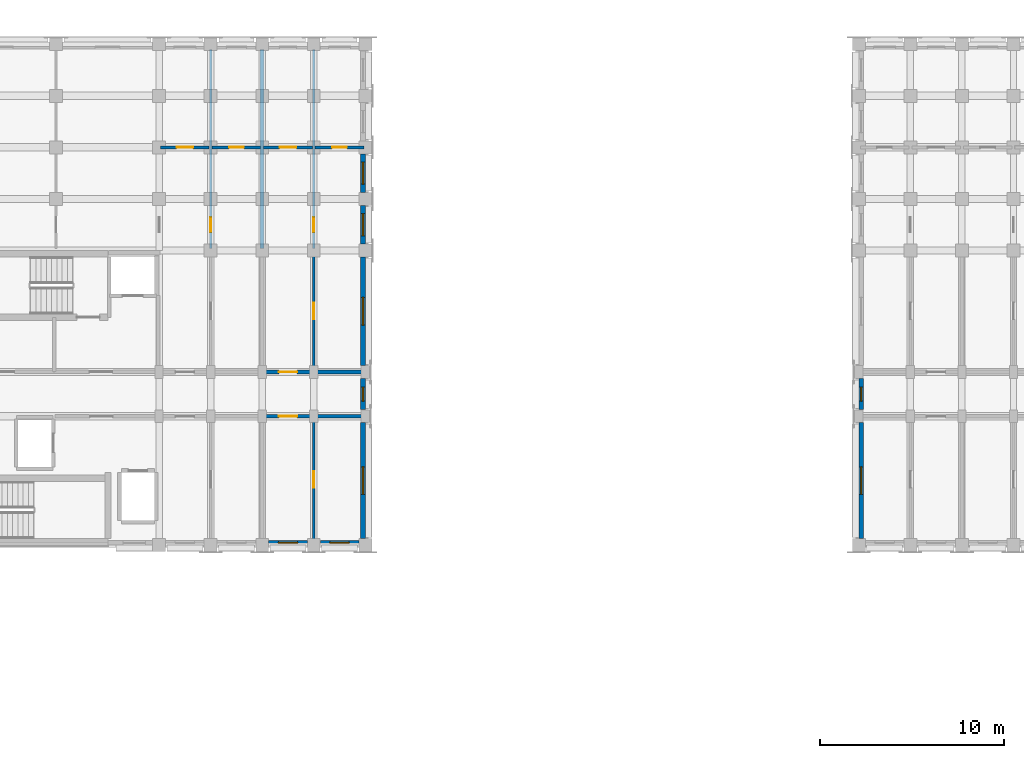
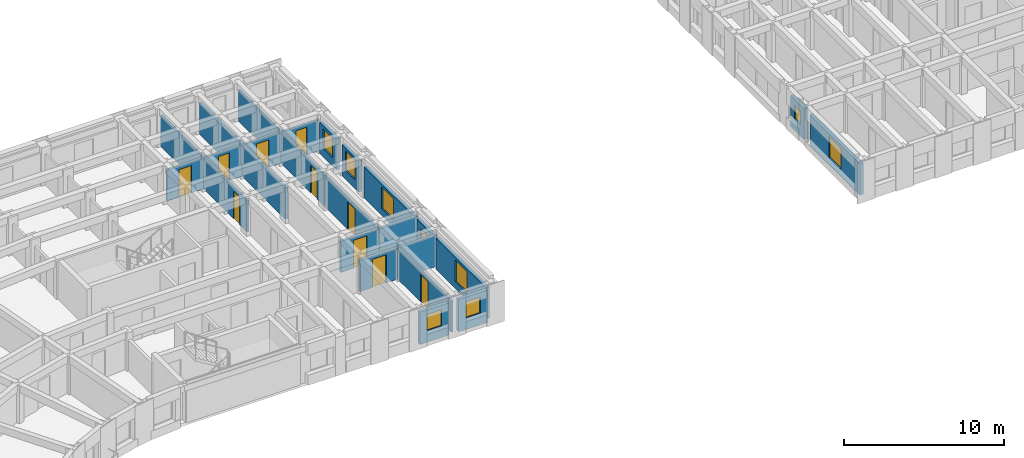
# One storey, part 29 of 57: 22 walls, 10 doors, 9 windows, 19 openings.
"""IFC4 building model written with IfcOpenShell, lengths in metres."""

import ifcopenshell
import ifcopenshell.guid

model = None  # the IFC model being written
_history = None  # IfcOwnerHistory: only IFC2X3 demands one
_inside = {}  # id of a spatial element -> (the spatial element, [elements in it])
_under = {}  # id of a project, library or spatial element -> (it, [spatial elements below it])
_declared = {}  # id of a project -> (the project, [libraries it declares])
_typed = {}  # id of a type object -> (the type object, [elements of that type])
_made_of = {}  # id of a material, layer set ... -> (it, [elements and type objects made of it])


def new_model(schema):
    """Start an empty IFC model of exactly this schema.

    Asked for "IFC4X3", IfcOpenShell would pick the latest addendum, in which some entities
    have other attributes; the version numbers below select the first issue.
    IFC2X3 requires an IfcOwnerHistory on every rooted entity: one is made here for all.
    """
    global model, _history
    if schema == "IFC4X3":
        model = ifcopenshell.file(schema_version=(4, 3, 0, 0))
    else:
        model = ifcopenshell.file(schema=schema)
    _inside.clear()
    _under.clear()
    _declared.clear()
    _typed.clear()
    _made_of.clear()
    _history = None
    if model.schema == "IFC2X3":
        org = make("IfcOrganization", Name="unknown")
        user = make(
            "IfcPersonAndOrganization",
            ThePerson=make("IfcPerson", FamilyName="unknown"),
            TheOrganization=org,
        )
        app = make(
            "IfcApplication",
            ApplicationDeveloper=org,
            Version="unknown",
            ApplicationFullName="unknown",
            ApplicationIdentifier="unknown",
        )
        _history = make(
            "IfcOwnerHistory",
            OwningUser=user,
            OwningApplication=app,
            ChangeAction="ADDED",
            CreationDate=0,
        )
    return model


def make(cls, **values):
    """One entity of the class cls with the attributes given. An attribute that is None is left unset."""
    return model.create_entity(
        cls, **{name: value for name, value in values.items() if value is not None}
    )


def rooted(cls, **values):
    """An entity with a GlobalId (a new one), such as an element, a storey or a relation."""
    return make(cls, GlobalId=ifcopenshell.guid.new(), OwnerHistory=_history, **values)


def si_unit(unit_type, name, prefix=None):
    """IfcSIUnit, for example si_unit("LENGTHUNIT", "METRE", prefix="MILLI")."""
    return make("IfcSIUnit", UnitType=unit_type, Prefix=prefix, Name=name)


def assignment(units):
    """IfcUnitAssignment: the units of a project."""
    return None if units is None else make("IfcUnitAssignment", Units=units)


def point(xyz):
    """IfcCartesianPoint."""
    return None if xyz is None else make("IfcCartesianPoint", Coordinates=xyz)


def direction(xyz):
    """IfcDirection."""
    return None if xyz is None else make("IfcDirection", DirectionRatios=xyz)


def frame(location, z_axis=None, x_axis=None):
    """IfcAxis2Placement3D, a coordinate frame: its origin and axes. An axis left out is left unset."""
    return make(
        "IfcAxis2Placement3D",
        Location=point(location),
        Axis=direction(z_axis),
        RefDirection=direction(x_axis),
    )


def frame_2d(location, x_axis=None):
    """IfcAxis2Placement2D, a coordinate frame in the plane: its origin and x axis."""
    return make(
        "IfcAxis2Placement2D", Location=point(location), RefDirection=direction(x_axis)
    )


def origin():
    """The frame at (0, 0, 0) with its axes left unset."""
    return frame((0.0, 0.0, 0.0))


def place(relative_to, where):
    """IfcLocalPlacement: puts the frame where relative to a parent placement (None: the world)."""
    return make(
        "IfcLocalPlacement", PlacementRelTo=relative_to, RelativePlacement=where
    )


def context(
    kind, dimensions, precision=None, world=None, true_north=None, identifier=None
):
    """IfcGeometricRepresentationContext, for example the 3D "Model" context."""
    return make(
        "IfcGeometricRepresentationContext",
        ContextIdentifier=identifier,
        ContextType=kind,
        CoordinateSpaceDimension=dimensions,
        Precision=precision,
        WorldCoordinateSystem=world,
        TrueNorth=true_north,
    )


def subcontext(parent, identifier, kind, view, scale=None):
    """IfcGeometricRepresentationSubContext, for example "Body" below "Model"."""
    return make(
        "IfcGeometricRepresentationSubContext",
        ContextIdentifier=identifier,
        ContextType=kind,
        ParentContext=parent,
        TargetScale=scale,
        TargetView=view,
    )


def project(units=None, contexts=None):
    """IfcProject with its units and contexts."""
    return rooted(
        "IfcProject",
        Name="project",
        RepresentationContexts=contexts,
        UnitsInContext=assignment(units),
    )


def spatial(cls, under=None, at=None, **own):
    """A site, building, storey or space (cls), placed at a placement, below another one or the project."""
    s = rooted(cls, ObjectPlacement=at, **own)
    if under is not None:
        _under.setdefault(under.id(), (under, []))[1].append(s)
    return s


def profile(cls, at=None, kind="AREA", **sizes):
    """A parametric profile (cls). Its sizes go by their IFC names, for example OverallWidth=200.0."""
    return make(cls, ProfileType=kind, Position=at, **sizes)


def rectangle(**sizes):
    """IfcRectangleProfileDef."""
    return profile("IfcRectangleProfileDef", **sizes)


def extrude(swept, where, along, depth):
    """IfcExtrudedAreaSolid: the profile swept, set in the frame where, extruded along a direction by depth."""
    return make(
        "IfcExtrudedAreaSolid",
        SweptArea=swept,
        Position=where,
        ExtrudedDirection=direction(along),
        Depth=depth,
    )


def shape(context_of_items, identifier, shape_type, items):
    """IfcShapeRepresentation: the items that make up one representation, for example the "Body"."""
    return make(
        "IfcShapeRepresentation",
        ContextOfItems=context_of_items,
        RepresentationIdentifier=identifier,
        RepresentationType=shape_type,
        Items=items,
    )


def material(Name=None, Category=None):
    """IfcMaterial."""
    return make("IfcMaterial", Name=Name, Category=Category)


def layer(
    of_material, thickness, ventilated=None, Name=None, Category=None, Priority=None
):
    """IfcMaterialLayer: one layer of a wall or slab, of a material (None: an air gap)."""
    return make(
        "IfcMaterialLayer",
        Material=of_material,
        LayerThickness=thickness,
        IsVentilated=ventilated,
        Name=Name,
        Category=Category,
        Priority=Priority,
    )


def layer_set(layers, Name=None):
    """IfcMaterialLayerSet."""
    return make("IfcMaterialLayerSet", MaterialLayers=layers, LayerSetName=Name)


def made_of(thing, what):
    """Note that an element or type object is made of a material, layer set ...; save() writes the relation."""
    if what is not None:
        _made_of.setdefault(what.id(), (what, []))[1].append(thing)
    return thing


def type_object(cls, material=None, **own):
    """A type object (cls), such as IfcWallType, which elements share."""
    return made_of(rooted(cls, **own), material)


def element(
    cls,
    number,
    at=None,
    inside=None,
    cuts=None,
    type_object=None,
    material=None,
    context=None,
    identifier="Body",
    shape_type=None,
    held_by="IfcProductDefinitionShape",
    body=None,
    shapes=None,
    **own,
):
    """One element of the class cls, such as IfcWall. Its Tag is "e" and its number.

    at: its placement. inside: the storey or other place that contains it. cuts: it is an
    opening in that element (IfcRelVoidsElement). A single representation is given by context,
    identifier, shape_type and body (its items); several are given by shapes. held_by: the class
    of the entity that holds the representations. save() writes the other relations.
    """
    e = rooted(cls, Tag="e%d" % number, ObjectPlacement=at, **own)
    if body is not None:
        shapes = [shape(context, identifier, shape_type, body)]
    if shapes is not None:
        e.Representation = make(held_by, Representations=shapes)
    if inside is not None:
        _inside.setdefault(inside.id(), (inside, []))[1].append(e)
    if cuts is not None:
        rooted(
            "IfcRelVoidsElement", RelatingBuildingElement=cuts, RelatedOpeningElement=e
        )
    if type_object is not None:
        _typed.setdefault(type_object.id(), (type_object, []))[1].append(e)
    return made_of(e, material)


def fill(opening, filler):
    """IfcRelFillsElement: the door or window that sits in an opening."""
    return rooted(
        "IfcRelFillsElement",
        RelatingOpeningElement=opening,
        RelatedBuildingElement=filler,
    )


def aggregate(whole, parts):
    """IfcRelAggregates: a whole, such as a stair, and the parts it consists of."""
    return rooted("IfcRelAggregates", RelatingObject=whole, RelatedObjects=parts)


def save(model, path):
    """Write the relations noted so far, then the file.

    IfcRelAggregates (storeys below a building ...), IfcRelContainedInSpatialStructure (elements
    in a storey), IfcRelDefinesByType, IfcRelAssociatesMaterial and IfcRelDeclares: one each for
    every whole, place, type object, material and project.
    """
    for whole, parts in _under.values():
        aggregate(whole, parts)
    for where, things in _inside.values():
        rooted(
            "IfcRelContainedInSpatialStructure",
            RelatedElements=things,
            RelatingStructure=where,
        )
    for kind, things in _typed.values():
        rooted("IfcRelDefinesByType", RelatedObjects=things, RelatingType=kind)
    for what, things in _made_of.values():
        rooted("IfcRelAssociatesMaterial", RelatedObjects=things, RelatingMaterial=what)
    for by, libraries in _declared.values():
        rooted("IfcRelDeclares", RelatingContext=by, RelatedDefinitions=libraries)
    model.write(path)


model = new_model("IFC4")

# Units and contexts
model_context = context("Model", 3, precision=1e-05, world=origin(), true_north=direction((0.0, 1.0)))
body_context = subcontext(model_context, "Body", "Model", "MODEL_VIEW")
ifc_project = project(units=[si_unit("LENGTHUNIT", "METRE"), si_unit("AREAUNIT", "SQUARE_METRE"), si_unit("VOLUMEUNIT", "CUBIC_METRE"), si_unit("PLANEANGLEUNIT", "RADIAN"), si_unit("MASSUNIT", "GRAM", prefix="KILO")], contexts=[model_context])

# Site, building, storey
site_placement = place(None, origin())
site = spatial("IfcSite", under=ifc_project, at=site_placement, CompositionType="ELEMENT")
building_placement = place(site_placement, origin())
building = spatial("IfcBuilding", under=site, at=building_placement, Name="Kiranvali Square Residences", CompositionType="ELEMENT")
storey_placement = place(building_placement, frame((0.0, 0.0, 21.300048828125)))
storey = spatial("IfcBuildingStorey", under=building, at=storey_placement, Name="L06", CompositionType="ELEMENT", Elevation=21.300048828125)

# Wall, opening, door
ifc_material_1 = material(Name="Autoclaved aerated concrete blockwork masonry", Category="masonry")
ifc_layer_1 = layer(ifc_material_1, 0.199951171875)
ifc_layer_set_1 = layer_set([ifc_layer_1], Name="Autoclaved aerated concrete blockwork masonry")
wall_type_1 = type_object("IfcWallType", Name="WL-COR-200", PredefinedType="STANDARD", material=ifc_layer_set_1)
wall_1_placement = place(storey_placement, frame((65.0, 113.60009765625, 0.0), z_axis=(0.0, 0.0, 1.0), x_axis=(1.0, 0.0, 0.0)))
wall_1 = element("IfcWall", 1, at=wall_1_placement, inside=storey, type_object=wall_type_1, Name="L06 architectural wall WL-L06-A-A1CI-2", PredefinedType="STANDARD", context=body_context, shape_type="SweptSolid", body=[
    extrude(rectangle(XDim=2.800048828125, YDim=0.199951171875, at=frame_2d((1.39990234375, 0.0))), origin(), (0.0, 0.0, 1.0), 2.3720703125),
])
opening_1_placement = place(wall_1_placement, frame((0.89990234375, 0.0, 0.0)))
opening_1 = element("IfcOpeningElement", 2, at=opening_1_placement, cuts=wall_1, Name="Opening FD-APT-60", PredefinedType="OPENING", context=body_context, shape_type="SweptSolid", body=[
    extrude(rectangle(XDim=1.0, YDim=2.14990234375, at=frame_2d((0.5, 1.074951171875))), frame((0.0, 0.10986328125, 0.0), z_axis=(0.0, -1.0, 0.0), x_axis=(1.0, 0.0, 0.0)), (0.0, 0.0, 1.0), 0.219970703125),
])
ifc_material_2 = material(Name="Fire-rated acoustic hardwood and mineral-core door assembly", Category="wood")
door_type_1 = type_object("IfcDoorType", Name="DR-APT-1000", OperationType="NOTDEFINED", PredefinedType="DOOR", material=ifc_material_2)
door_1_placement = place(opening_1_placement, origin())
door_1 = element("IfcDoor", 3, at=door_1_placement, inside=storey, type_object=door_type_1, Name="L06 door DR-L06-0411 (DR-APT-1000)", OperationType="SINGLE_SWING_LEFT", OverallHeight=2.14990234375, OverallWidth=1.0, PredefinedType="DOOR", context=body_context, shape_type="SweptSolid", body=[
    extrude(rectangle(XDim=1.0, YDim=2.14990234375, at=frame_2d((0.5, 1.074951171875))), frame((0.0, 0.02490234375, 0.0), z_axis=(0.0, -1.0, 0.0), x_axis=(1.0, 0.0, 0.0)), (0.0, 0.0, 1.0), 0.050048828125),
])
fill(opening_1, door_1)

wall_2_placement = place(storey_placement, frame((65.0, 116.0, 0.0), z_axis=(0.0, 0.0, 1.0), x_axis=(1.0, 0.0, 0.0)))
wall_2 = element("IfcWall", 4, at=wall_2_placement, inside=storey, type_object=wall_type_1, Name="L06 architectural wall WL-L06-A-A1CO-2", PredefinedType="STANDARD", context=body_context, shape_type="SweptSolid", body=[
    extrude(rectangle(XDim=2.800048828125, YDim=0.199951171875, at=frame_2d((1.39990234375, 0.0))), origin(), (0.0, 0.0, 1.0), 2.3720703125),
])
opening_2_placement = place(wall_2_placement, frame((0.89990234375, 0.0, 0.0)))
opening_2 = element("IfcOpeningElement", 5, at=opening_2_placement, cuts=wall_2, Name="Opening FD-APT-60", PredefinedType="OPENING", context=body_context, shape_type="SweptSolid", body=[
    extrude(rectangle(XDim=1.0, YDim=2.14990234375, at=frame_2d((0.5, 1.074951171875))), frame((0.0, 0.10986328125, 0.0), z_axis=(0.0, -1.0, 0.0), x_axis=(1.0, 0.0, 0.0)), (0.0, 0.0, 1.0), 0.219970703125),
])
door_2_placement = place(opening_2_placement, origin())
door_2 = element("IfcDoor", 6, at=door_2_placement, inside=storey, type_object=door_type_1, Name="L06 door DR-L06-0413 (DR-APT-1000)", OperationType="SINGLE_SWING_LEFT", OverallHeight=2.14990234375, OverallWidth=1.0, PredefinedType="DOOR", context=body_context, shape_type="SweptSolid", body=[
    extrude(rectangle(XDim=1.0, YDim=2.14990234375, at=frame_2d((0.5, 1.074951171875))), frame((0.0, 0.02490234375, 0.0), z_axis=(0.0, -1.0, 0.0), x_axis=(1.0, 0.0, 0.0)), (0.0, 0.0, 1.0), 0.050048828125),
])
fill(opening_2, door_2)

# Walls
for number, where, z_axis, x_axis, name in (
    (7, (67.800048828125, 113.60009765625, 0.0), (0.0, 0.0, 1.0), (1.0, 0.0, 0.0), "L06 architectural wall WL-L06-A-A1CI-3"),
    (8, (67.800048828125, 116.0, 0.0), (0.0, 0.0, 1.0), (1.0, 0.0, 0.0), "L06 architectural wall WL-L06-A-A1CO-3"),
):
    element("IfcWall", number, at=place(storey_placement, frame(where, z_axis=z_axis, x_axis=x_axis)), inside=storey, type_object=wall_type_1, Name=name, PredefinedType="STANDARD", context=body_context, shape_type="SweptSolid", body=[
        extrude(rectangle(XDim=2.800048828125, YDim=0.199951171875, at=frame_2d((1.39990234375, 0.0))), origin(), (0.0, 0.0, 1.0), 2.3720703125),
    ])
ifc_layer_2 = layer(ifc_material_1, 0.219970703125)
ifc_layer_set_2 = layer_set([ifc_layer_2], Name="Autoclaved aerated concrete blockwork masonry")
wall_type_2 = type_object("IfcWallType", Name="WL-DEM-220", PredefinedType="STANDARD", material=ifc_layer_set_2)
wall_3_placement = place(storey_placement, frame((65.0, 122.699951171875, 0.0), z_axis=(0.0, 0.0, 1.0), x_axis=(0.0, 1.0, 0.0)))
element("IfcWall", 9, at=wall_3_placement, inside=storey, type_object=wall_type_2, Name="L06 architectural wall WL-L06-A-A1TO2-2", PredefinedType="STANDARD", context=body_context, shape_type="SweptSolid", body=[
    extrude(rectangle(XDim=10.820068359375, YDim=0.219970703125, at=frame_2d((5.41015625, 0.0))), origin(), (0.0, 0.0, 1.0), 2.3720703125),
])

# Wall, opening, window
ifc_material_3 = material(Name="Breathable lime-rendered clay brick masonry", Category="masonry")
ifc_layer_3 = layer(ifc_material_3, 0.25)
ifc_layer_set_3 = layer_set([ifc_layer_3], Name="Breathable lime-rendered clay brick masonry")
wall_type_3 = type_object("IfcWallType", Name="WL-EXT-250", PredefinedType="STANDARD", material=ifc_layer_set_3)
wall_4_placement = place(storey_placement, frame((65.353515625, 106.72509765625, 0.0), z_axis=(0.0, 0.0, 1.0), x_axis=(1.0, 0.0, 0.0)))
wall_4 = element("IfcWall", 10, at=wall_4_placement, inside=storey, type_object=wall_type_3, Name="L06 exterior wall A-L06-A1I-2", PredefinedType="STANDARD", context=body_context, shape_type="SweptSolid", body=[
    extrude(rectangle(XDim=2.093017578125, YDim=0.25, at=frame_2d((1.04638671875, 0.0))), origin(), (0.0, 0.0, 1.0), 2.471923828125),
])
opening_3_placement = place(wall_4_placement, frame((0.521484375, 0.0, 0.8798828125)))
opening_3 = element("IfcOpeningElement", 11, at=opening_3_placement, cuts=wall_4, Name="Opening W-24", PredefinedType="OPENING", context=body_context, shape_type="SweptSolid", body=[
    extrude(rectangle(XDim=1.050048828125, YDim=1.25, at=frame_2d((0.52490234375, 0.625))), frame((0.0, 0.135009765625, 0.0), z_axis=(0.0, -1.0, 0.0), x_axis=(1.0, 0.0, 0.0)), (0.0, 0.0, 1.0), 0.27001953125),
])
ifc_material_4 = material(Name="Solar-control low-e double glazing", Category="glass")
window_type_1 = type_object("IfcWindowType", Name="WIN-COR-1050x1250", PartitioningType="SINGLE_PANEL", PredefinedType="WINDOW", material=ifc_material_4)
window_1_placement = place(opening_3_placement, origin())
window_1 = element("IfcWindow", 12, at=window_1_placement, inside=storey, type_object=window_type_1, Name="L06 recessed window A-L06-A1I-2", OverallHeight=1.25, OverallWidth=1.050048828125, PartitioningType="SINGLE_PANEL", PredefinedType="WINDOW", context=body_context, shape_type="SweptSolid", body=[
    extrude(rectangle(XDim=1.050048828125, YDim=1.25, at=frame_2d((0.52490234375, 0.625))), frame((0.0, 0.030029296875, 0.0), z_axis=(0.0, -1.0, 0.0), x_axis=(1.0, 0.0, 0.0)), (0.0, 0.0, 1.0), 0.06005859375),
])
fill(opening_3, window_1)

wall_5_placement = place(storey_placement, frame((68.153564453125, 106.72509765625, 0.0), z_axis=(0.0, 0.0, 1.0), x_axis=(1.0, 0.0, 0.0)))
wall_5 = element("IfcWall", 13, at=wall_5_placement, inside=storey, type_object=wall_type_3, Name="L06 exterior wall A-L06-A1I-3", PredefinedType="STANDARD", context=body_context, shape_type="SweptSolid", body=[
    extrude(rectangle(XDim=2.093017578125, YDim=0.25, at=frame_2d((1.04638671875, 0.0))), origin(), (0.0, 0.0, 1.0), 2.471923828125),
])
opening_4_placement = place(wall_5_placement, frame((0.521484375, 0.0, 0.8798828125)))
opening_4 = element("IfcOpeningElement", 14, at=opening_4_placement, cuts=wall_5, Name="Opening W-24", PredefinedType="OPENING", context=body_context, shape_type="SweptSolid", body=[
    extrude(rectangle(XDim=1.050048828125, YDim=1.25, at=frame_2d((0.52490234375, 0.625))), frame((0.0, 0.135009765625, 0.0), z_axis=(0.0, -1.0, 0.0), x_axis=(1.0, 0.0, 0.0)), (0.0, 0.0, 1.0), 0.27001953125),
])
window_2_placement = place(opening_4_placement, origin())
window_2 = element("IfcWindow", 15, at=window_2_placement, inside=storey, type_object=window_type_1, Name="L06 recessed window A-L06-A1I-3", OverallHeight=1.25, OverallWidth=1.050048828125, PartitioningType="SINGLE_PANEL", PredefinedType="WINDOW", context=body_context, shape_type="SweptSolid", body=[
    extrude(rectangle(XDim=1.050048828125, YDim=1.25, at=frame_2d((0.52490234375, 0.625))), frame((0.0, 0.030029296875, 0.0), z_axis=(0.0, -1.0, 0.0), x_axis=(1.0, 0.0, 0.0)), (0.0, 0.0, 1.0), 0.06005859375),
])
fill(opening_4, window_2)

wall_6_placement = place(storey_placement, frame((70.47509765625, 106.95361328125, 0.0), z_axis=(0.0, 0.0, 1.0), x_axis=(0.0, 1.0, 0.0)))
wall_6 = element("IfcWall", 16, at=wall_6_placement, inside=storey, type_object=wall_type_3, Name="L06 exterior wall A-L06-A1END-0", PredefinedType="STANDARD", context=body_context, shape_type="SweptSolid", body=[
    extrude(rectangle(XDim=6.29296875, YDim=0.25, at=frame_2d((3.146484375, 0.0))), origin(), (0.0, 0.0, 1.0), 2.3720703125),
])
opening_5_placement = place(wall_6_placement, frame((2.396484375, 0.0, 0.52197265625)))
opening_5 = element("IfcOpeningElement", 17, at=opening_5_placement, cuts=wall_6, Name="Opening W-05", PredefinedType="OPENING", context=body_context, shape_type="SweptSolid", body=[
    extrude(rectangle(XDim=1.5, YDim=1.64990234375, at=frame_2d((0.75, 0.824951171875))), frame((0.0, 0.135009765625, 0.0), z_axis=(0.0, -1.0, 0.0), x_axis=(1.0, 0.0, 0.0)), (0.0, 0.0, 1.0), 0.27001953125),
])
window_type_2 = type_object("IfcWindowType", Name="WIN-RES-1500x1650", PartitioningType="DOUBLE_PANEL_VERTICAL", PredefinedType="WINDOW", material=ifc_material_4)
window_3_placement = place(opening_5_placement, origin())
window_3 = element("IfcWindow", 18, at=window_3_placement, inside=storey, type_object=window_type_2, Name="L06 recessed window A-L06-A1END-0", OverallHeight=1.64990234375, OverallWidth=1.5, PartitioningType="DOUBLE_PANEL_VERTICAL", PredefinedType="WINDOW", context=body_context, shape_type="SweptSolid", body=[
    extrude(rectangle(XDim=1.5, YDim=1.64990234375, at=frame_2d((0.75, 0.824951171875))), frame((0.0, 0.030029296875, 0.0), z_axis=(0.0, -1.0, 0.0), x_axis=(1.0, 0.0, 0.0)), (0.0, 0.0, 1.0), 0.06005859375),
])
fill(opening_5, window_3)

wall_7_placement = place(storey_placement, frame((70.47509765625, 113.95361328125, 0.0), z_axis=(0.0, 0.0, 1.0), x_axis=(0.0, 1.0, 0.0)))
wall_7 = element("IfcWall", 19, at=wall_7_placement, inside=storey, type_object=wall_type_3, Name="L06 exterior wall A-L06-A1END-1", PredefinedType="STANDARD", context=body_context, shape_type="SweptSolid", body=[
    extrude(rectangle(XDim=1.69287109375, YDim=0.25, at=frame_2d((0.846435546875, 0.0))), origin(), (0.0, 0.0, 1.0), 2.3720703125),
])
opening_6_placement = place(wall_7_placement, frame((0.471435546875, 0.0, 0.8798828125)))
opening_6 = element("IfcOpeningElement", 20, at=opening_6_placement, cuts=wall_7, Name="Opening W-07", PredefinedType="OPENING", context=body_context, shape_type="SweptSolid", body=[
    extrude(rectangle(XDim=0.75, YDim=1.050048828125, at=frame_2d((0.375, 0.52490234375))), frame((0.0, 0.135009765625, 0.0), z_axis=(0.0, -1.0, 0.0), x_axis=(1.0, 0.0, 0.0)), (0.0, 0.0, 1.0), 0.27001953125),
])
window_type_3 = type_object("IfcWindowType", Name="WIN-WET-750x1050", PartitioningType="SINGLE_PANEL", PredefinedType="WINDOW", material=ifc_material_4)
window_4_placement = place(opening_6_placement, origin())
window_4 = element("IfcWindow", 21, at=window_4_placement, inside=storey, type_object=window_type_3, Name="L06 recessed window A-L06-A1END-1", OverallHeight=1.050048828125, OverallWidth=0.75, PartitioningType="SINGLE_PANEL", PredefinedType="WINDOW", context=body_context, shape_type="SweptSolid", body=[
    extrude(rectangle(XDim=0.75, YDim=1.050048828125, at=frame_2d((0.375, 0.52490234375))), frame((0.0, 0.030029296875, 0.0), z_axis=(0.0, -1.0, 0.0), x_axis=(1.0, 0.0, 0.0)), (0.0, 0.0, 1.0), 0.06005859375),
])
fill(opening_6, window_4)

wall_8_placement = place(storey_placement, frame((70.47509765625, 116.353515625, 0.0), z_axis=(0.0, 0.0, 1.0), x_axis=(0.0, 1.0, 0.0)))
wall_8 = element("IfcWall", 22, at=wall_8_placement, inside=storey, type_object=wall_type_3, Name="L06 exterior wall A-L06-A1END-2", PredefinedType="STANDARD", context=body_context, shape_type="SweptSolid", body=[
    extrude(rectangle(XDim=5.89306640625, YDim=0.25, at=frame_2d((2.946533203125, 0.0))), origin(), (0.0, 0.0, 1.0), 2.3720703125),
])
opening_7_placement = place(wall_8_placement, frame((2.196533203125, 0.0, 0.52197265625)))
opening_7 = element("IfcOpeningElement", 23, at=opening_7_placement, cuts=wall_8, Name="Opening W-05", PredefinedType="OPENING", context=body_context, shape_type="SweptSolid", body=[
    extrude(rectangle(XDim=1.5, YDim=1.64990234375, at=frame_2d((0.75, 0.824951171875))), frame((0.0, 0.135009765625, 0.0), z_axis=(0.0, -1.0, 0.0), x_axis=(1.0, 0.0, 0.0)), (0.0, 0.0, 1.0), 0.27001953125),
])
window_5_placement = place(opening_7_placement, origin())
window_5 = element("IfcWindow", 24, at=window_5_placement, inside=storey, type_object=window_type_2, Name="L06 recessed window A-L06-A1END-2", OverallHeight=1.64990234375, OverallWidth=1.5, PartitioningType="DOUBLE_PANEL_VERTICAL", PredefinedType="WINDOW", context=body_context, shape_type="SweptSolid", body=[
    extrude(rectangle(XDim=1.5, YDim=1.64990234375, at=frame_2d((0.75, 0.824951171875))), frame((0.0, 0.030029296875, 0.0), z_axis=(0.0, -1.0, 0.0), x_axis=(1.0, 0.0, 0.0)), (0.0, 0.0, 1.0), 0.06005859375),
])
fill(opening_7, window_5)

wall_9_placement = place(storey_placement, frame((70.47509765625, 122.95361328125, 0.0), z_axis=(0.0, 0.0, 1.0), x_axis=(0.0, 1.0, 0.0)))
wall_9 = element("IfcWall", 25, at=wall_9_placement, inside=storey, type_object=wall_type_3, Name="L06 exterior wall A-L06-A1END-3", PredefinedType="STANDARD", context=body_context, shape_type="SweptSolid", body=[
    extrude(rectangle(XDim=2.0927734375, YDim=0.25, at=frame_2d((1.04638671875, 0.0))), origin(), (0.0, 0.0, 1.0), 2.3720703125),
])
opening_8_placement = place(wall_9_placement, frame((0.446533203125, 0.0, 0.672119140625)))
opening_8 = element("IfcOpeningElement", 26, at=opening_8_placement, cuts=wall_9, Name="Opening W-06", PredefinedType="OPENING", context=body_context, shape_type="SweptSolid", body=[
    extrude(rectangle(XDim=1.199951171875, YDim=1.5, at=frame_2d((0.60009765625, 0.75))), frame((0.0, 0.135009765625, 0.0), z_axis=(0.0, -1.0, 0.0), x_axis=(1.0, 0.0, 0.0)), (0.0, 0.0, 1.0), 0.27001953125),
])
window_type_4 = type_object("IfcWindowType", Name="WIN-RES-1200x1500", PartitioningType="SINGLE_PANEL", PredefinedType="WINDOW", material=ifc_material_4)
window_6_placement = place(opening_8_placement, origin())
window_6 = element("IfcWindow", 27, at=window_6_placement, inside=storey, type_object=window_type_4, Name="L06 recessed window A-L06-A1END-3", OverallHeight=1.5, OverallWidth=1.199951171875, PartitioningType="SINGLE_PANEL", PredefinedType="WINDOW", context=body_context, shape_type="SweptSolid", body=[
    extrude(rectangle(XDim=1.199951171875, YDim=1.5, at=frame_2d((0.60009765625, 0.75))), frame((0.0, 0.030029296875, 0.0), z_axis=(0.0, -1.0, 0.0), x_axis=(1.0, 0.0, 0.0)), (0.0, 0.0, 1.0), 0.06005859375),
])
fill(opening_8, window_6)

wall_10_placement = place(storey_placement, frame((70.47509765625, 125.75341796875, 0.0), z_axis=(0.0, 0.0, 1.0), x_axis=(0.0, 1.0, 0.0)))
wall_10 = element("IfcWall", 28, at=wall_10_placement, inside=storey, type_object=wall_type_3, Name="L06 exterior wall A-L06-A1END-4", PredefinedType="STANDARD", context=body_context, shape_type="SweptSolid", body=[
    extrude(rectangle(XDim=2.093017578125, YDim=0.25, at=frame_2d((1.04638671875, 0.0))), origin(), (0.0, 0.0, 1.0), 2.3720703125),
])
opening_9_placement = place(wall_10_placement, frame((0.446533203125, 0.0, 0.672119140625)))
opening_9 = element("IfcOpeningElement", 29, at=opening_9_placement, cuts=wall_10, Name="Opening W-06", PredefinedType="OPENING", context=body_context, shape_type="SweptSolid", body=[
    extrude(rectangle(XDim=1.199951171875, YDim=1.5, at=frame_2d((0.60009765625, 0.75))), frame((0.0, 0.135009765625, 0.0), z_axis=(0.0, -1.0, 0.0), x_axis=(1.0, 0.0, 0.0)), (0.0, 0.0, 1.0), 0.27001953125),
])
window_7_placement = place(opening_9_placement, origin())
window_7 = element("IfcWindow", 30, at=window_7_placement, inside=storey, type_object=window_type_4, Name="L06 recessed window A-L06-A1END-4", OverallHeight=1.5, OverallWidth=1.199951171875, PartitioningType="SINGLE_PANEL", PredefinedType="WINDOW", context=body_context, shape_type="SweptSolid", body=[
    extrude(rectangle(XDim=1.199951171875, YDim=1.5, at=frame_2d((0.60009765625, 0.75))), frame((0.0, 0.030029296875, 0.0), z_axis=(0.0, -1.0, 0.0), x_axis=(1.0, 0.0, 0.0)), (0.0, 0.0, 1.0), 0.06005859375),
])
fill(opening_9, window_7)

wall_11_placement = place(storey_placement, frame((97.52490234375, 106.95361328125, 0.0), z_axis=(0.0, 0.0, 1.0), x_axis=(0.0, 1.0, 0.0)))
wall_11 = element("IfcWall", 31, at=wall_11_placement, inside=storey, type_object=wall_type_3, Name="L06 exterior wall B-L06-A1END-0", PredefinedType="STANDARD", context=body_context, shape_type="SweptSolid", body=[
    extrude(rectangle(XDim=6.29296875, YDim=0.25, at=frame_2d((3.146484375, 0.0))), origin(), (0.0, 0.0, 1.0), 2.3720703125),
])
opening_10_placement = place(wall_11_placement, frame((2.396484375, 0.0, 0.52197265625)))
opening_10 = element("IfcOpeningElement", 32, at=opening_10_placement, cuts=wall_11, Name="Opening W-05", PredefinedType="OPENING", context=body_context, shape_type="SweptSolid", body=[
    extrude(rectangle(XDim=1.5, YDim=1.64990234375, at=frame_2d((0.75, 0.824951171875))), frame((0.0, 0.135009765625, 0.0), z_axis=(0.0, -1.0, 0.0), x_axis=(1.0, 0.0, 0.0)), (0.0, 0.0, 1.0), 0.27001953125),
])
window_8_placement = place(opening_10_placement, origin())
window_8 = element("IfcWindow", 33, at=window_8_placement, inside=storey, type_object=window_type_2, Name="L06 recessed window B-L06-A1END-0", OverallHeight=1.64990234375, OverallWidth=1.5, PartitioningType="DOUBLE_PANEL_VERTICAL", PredefinedType="WINDOW", context=body_context, shape_type="SweptSolid", body=[
    extrude(rectangle(XDim=1.5, YDim=1.64990234375, at=frame_2d((0.75, 0.824951171875))), frame((0.0, 0.030029296875, 0.0), z_axis=(0.0, -1.0, 0.0), x_axis=(1.0, 0.0, 0.0)), (0.0, 0.0, 1.0), 0.06005859375),
])
fill(opening_10, window_8)

wall_12_placement = place(storey_placement, frame((97.52490234375, 113.95361328125, 0.0), z_axis=(0.0, 0.0, 1.0), x_axis=(0.0, 1.0, 0.0)))
wall_12 = element("IfcWall", 34, at=wall_12_placement, inside=storey, type_object=wall_type_3, Name="L06 exterior wall B-L06-A1END-1", PredefinedType="STANDARD", context=body_context, shape_type="SweptSolid", body=[
    extrude(rectangle(XDim=1.69287109375, YDim=0.25, at=frame_2d((0.846435546875, 0.0))), origin(), (0.0, 0.0, 1.0), 2.3720703125),
])
opening_11_placement = place(wall_12_placement, frame((0.471435546875, 0.0, 0.8798828125)))
opening_11 = element("IfcOpeningElement", 35, at=opening_11_placement, cuts=wall_12, Name="Opening W-07", PredefinedType="OPENING", context=body_context, shape_type="SweptSolid", body=[
    extrude(rectangle(XDim=0.75, YDim=1.050048828125, at=frame_2d((0.375, 0.52490234375))), frame((0.0, 0.135009765625, 0.0), z_axis=(0.0, -1.0, 0.0), x_axis=(1.0, 0.0, 0.0)), (0.0, 0.0, 1.0), 0.27001953125),
])
window_9_placement = place(opening_11_placement, origin())
window_9 = element("IfcWindow", 36, at=window_9_placement, inside=storey, type_object=window_type_3, Name="L06 recessed window B-L06-A1END-1", OverallHeight=1.050048828125, OverallWidth=0.75, PartitioningType="SINGLE_PANEL", PredefinedType="WINDOW", context=body_context, shape_type="SweptSolid", body=[
    extrude(rectangle(XDim=0.75, YDim=1.050048828125, at=frame_2d((0.375, 0.52490234375))), frame((0.0, 0.030029296875, 0.0), z_axis=(0.0, -1.0, 0.0), x_axis=(1.0, 0.0, 0.0)), (0.0, 0.0, 1.0), 0.06005859375),
])
fill(opening_11, window_9)

# Wall, opening, door
ifc_material_5 = material(Name="Acoustic gypsum board drylined partition", Category="gypsum")
ifc_layer_4 = layer(ifc_material_5, 0.14990234375)
ifc_layer_set_4 = layer_set([ifc_layer_4], Name="Acoustic gypsum board drylined partition")
wall_type_4 = type_object("IfcWallType", Name="WL-PRT-150", PredefinedType="PARTITIONING", material=ifc_layer_set_4)
wall_13_placement = place(storey_placement, frame((62.199951171875, 122.699951171875, 0.0), z_axis=(0.0, 0.0, 1.0), x_axis=(0.0, 1.0, 0.0)))
wall_13 = element("IfcWall", 37, at=wall_13_placement, inside=storey, type_object=wall_type_4, Name="L06 architectural wall WL-L06-A-A1TO2-1", PredefinedType="PARTITIONING", context=body_context, shape_type="SweptSolid", body=[
    extrude(rectangle(XDim=10.820068359375, YDim=0.14990234375, at=frame_2d((5.41015625, 0.0))), origin(), (0.0, 0.0, 1.0), 2.3720703125),
])
opening_12_placement = place(wall_13_placement, frame((0.8994140625, 0.0, 0.0)))
opening_12 = element("IfcOpeningElement", 38, at=opening_12_placement, cuts=wall_13, Name="Opening ID-WET", PredefinedType="OPENING", context=body_context, shape_type="SweptSolid", body=[
    extrude(rectangle(XDim=0.800048828125, YDim=2.10009765625, at=frame_2d((0.39990234375, 1.050048828125))), frame((0.0, 0.0849609375, 0.0), z_axis=(0.0, -1.0, 0.0), x_axis=(1.0, 0.0, 0.0)), (0.0, 0.0, 1.0), 0.169921875),
])
ifc_material_6 = material(Name="Solid seasoned teak hardwood joinery", Category="wood")
door_type_2 = type_object("IfcDoorType", Name="DR-WET-800", OperationType="NOTDEFINED", PredefinedType="DOOR", material=ifc_material_6)
door_3_placement = place(opening_12_placement, frame((0.800048828125, 0.0, 0.0), z_axis=(0.0, 0.0, 1.0), x_axis=(-1.0, 0.0, 0.0)))
door_3 = element("IfcDoor", 39, at=door_3_placement, inside=storey, type_object=door_type_2, Name="L06 door DR-L06-0418 (DR-WET-800)", OperationType="SINGLE_SWING_RIGHT", OverallHeight=2.10009765625, OverallWidth=0.800048828125, PredefinedType="DOOR", context=body_context, shape_type="SweptSolid", body=[
    extrude(rectangle(XDim=0.800048828125, YDim=2.10009765625, at=frame_2d((0.39990234375, 1.050048828125))), frame((0.0, 0.02490234375, 0.0), z_axis=(0.0, -1.0, 0.0), x_axis=(1.0, 0.0, 0.0)), (0.0, 0.0, 1.0), 0.050048828125),
])
fill(opening_12, door_3)

wall_14_placement = place(storey_placement, frame((67.800048828125, 106.800048828125, 0.0), z_axis=(0.0, 0.0, 1.0), x_axis=(0.0, 1.0, 0.0)))
wall_14 = element("IfcWall", 40, at=wall_14_placement, inside=storey, type_object=wall_type_4, Name="L06 architectural wall WL-L06-A-A1TI-3", PredefinedType="PARTITIONING", context=body_context, shape_type="SweptSolid", body=[
    extrude(rectangle(XDim=6.75, YDim=0.14990234375, at=frame_2d((3.375, 0.0))), origin(), (0.0, 0.0, 1.0), 2.3720703125),
])
opening_13_placement = place(wall_14_placement, frame((2.925048828125, 0.0, 0.0)))
opening_13 = element("IfcOpeningElement", 41, at=opening_13_placement, cuts=wall_14, Name="Opening ID-1", PredefinedType="OPENING", context=body_context, shape_type="SweptSolid", body=[
    extrude(rectangle(XDim=0.89990234375, YDim=2.10009765625, at=frame_2d((0.449951171875, 1.050048828125))), frame((0.0, 0.0849609375, 0.0), z_axis=(0.0, -1.0, 0.0), x_axis=(1.0, 0.0, 0.0)), (0.0, 0.0, 1.0), 0.169921875),
])
door_type_3 = type_object("IfcDoorType", Name="DR-INT-900", OperationType="NOTDEFINED", PredefinedType="DOOR", material=ifc_material_6)
door_4_placement = place(opening_13_placement, origin())
door_4 = element("IfcDoor", 42, at=door_4_placement, inside=storey, type_object=door_type_3, Name="L06 door DR-L06-0419 (DR-INT-900)", OperationType="SINGLE_SWING_LEFT", OverallHeight=2.10009765625, OverallWidth=0.89990234375, PredefinedType="DOOR", context=body_context, shape_type="SweptSolid", body=[
    extrude(rectangle(XDim=0.89990234375, YDim=2.10009765625, at=frame_2d((0.449951171875, 1.050048828125))), frame((0.0, 0.02490234375, 0.0), z_axis=(0.0, -1.0, 0.0), x_axis=(1.0, 0.0, 0.0)), (0.0, 0.0, 1.0), 0.050048828125),
])
fill(opening_13, door_4)

wall_15_placement = place(storey_placement, frame((67.800048828125, 116.050048828125, 0.0), z_axis=(0.0, 0.0, 1.0), x_axis=(0.0, 1.0, 0.0)))
wall_15 = element("IfcWall", 43, at=wall_15_placement, inside=storey, type_object=wall_type_4, Name="L06 architectural wall WL-L06-A-A1TO1-3", PredefinedType="PARTITIONING", context=body_context, shape_type="SweptSolid", body=[
    extrude(rectangle(XDim=6.530029296875, YDim=0.14990234375, at=frame_2d((3.26513671875, 0.0))), origin(), (0.0, 0.0, 1.0), 2.3720703125),
])
opening_14_placement = place(wall_15_placement, frame((2.81494140625, 0.0, 0.0)))
opening_14 = element("IfcOpeningElement", 44, at=opening_14_placement, cuts=wall_15, Name="Opening ID-1", PredefinedType="OPENING", context=body_context, shape_type="SweptSolid", body=[
    extrude(rectangle(XDim=0.89990234375, YDim=2.10009765625, at=frame_2d((0.449951171875, 1.050048828125))), frame((0.0, 0.0849609375, 0.0), z_axis=(0.0, -1.0, 0.0), x_axis=(1.0, 0.0, 0.0)), (0.0, 0.0, 1.0), 0.169921875),
])
door_5_placement = place(opening_14_placement, frame((0.89990234375, 0.0, 0.0), z_axis=(0.0, 0.0, 1.0), x_axis=(-1.0, 0.0, 0.0)))
door_5 = element("IfcDoor", 45, at=door_5_placement, inside=storey, type_object=door_type_3, Name="L06 door DR-L06-0420 (DR-INT-900)", OperationType="SINGLE_SWING_RIGHT", OverallHeight=2.10009765625, OverallWidth=0.89990234375, PredefinedType="DOOR", context=body_context, shape_type="SweptSolid", body=[
    extrude(rectangle(XDim=0.89990234375, YDim=2.10009765625, at=frame_2d((0.449951171875, 1.050048828125))), frame((0.0, 0.02490234375, 0.0), z_axis=(0.0, -1.0, 0.0), x_axis=(1.0, 0.0, 0.0)), (0.0, 0.0, 1.0), 0.050048828125),
])
fill(opening_14, door_5)

wall_16_placement = place(storey_placement, frame((67.800048828125, 122.699951171875, 0.0), z_axis=(0.0, 0.0, 1.0), x_axis=(0.0, 1.0, 0.0)))
wall_16 = element("IfcWall", 46, at=wall_16_placement, inside=storey, type_object=wall_type_4, Name="L06 architectural wall WL-L06-A-A1TO2-3", PredefinedType="PARTITIONING", context=body_context, shape_type="SweptSolid", body=[
    extrude(rectangle(XDim=10.820068359375, YDim=0.14990234375, at=frame_2d((5.41015625, 0.0))), origin(), (0.0, 0.0, 1.0), 2.3720703125),
])
opening_15_placement = place(wall_16_placement, frame((0.8994140625, 0.0, 0.0)))
opening_15 = element("IfcOpeningElement", 47, at=opening_15_placement, cuts=wall_16, Name="Opening ID-WET", PredefinedType="OPENING", context=body_context, shape_type="SweptSolid", body=[
    extrude(rectangle(XDim=0.800048828125, YDim=2.10009765625, at=frame_2d((0.39990234375, 1.050048828125))), frame((0.0, 0.0849609375, 0.0), z_axis=(0.0, -1.0, 0.0), x_axis=(1.0, 0.0, 0.0)), (0.0, 0.0, 1.0), 0.169921875),
])
door_6_placement = place(opening_15_placement, origin())
door_6 = element("IfcDoor", 48, at=door_6_placement, inside=storey, type_object=door_type_2, Name="L06 door DR-L06-0421 (DR-WET-800)", OperationType="SINGLE_SWING_LEFT", OverallHeight=2.10009765625, OverallWidth=0.800048828125, PredefinedType="DOOR", context=body_context, shape_type="SweptSolid", body=[
    extrude(rectangle(XDim=0.800048828125, YDim=2.10009765625, at=frame_2d((0.39990234375, 1.050048828125))), frame((0.0, 0.02490234375, 0.0), z_axis=(0.0, -1.0, 0.0), x_axis=(1.0, 0.0, 0.0)), (0.0, 0.0, 1.0), 0.050048828125),
])
fill(opening_15, door_6)

ifc_layer_5 = layer(ifc_material_1, 0.159912109375)
ifc_layer_set_5 = layer_set([ifc_layer_5], Name="Autoclaved aerated concrete blockwork masonry")
wall_type_5 = type_object("IfcWallType", Name="WL-WET-160", PredefinedType="PLUMBINGWALL", material=ifc_layer_set_5)
wall_17_placement = place(storey_placement, frame((59.47998046875, 128.199951171875, 0.0), z_axis=(0.0, 0.0, 1.0), x_axis=(1.0, 0.0, 0.0)))
wall_17 = element("IfcWall", 49, at=wall_17_placement, inside=storey, type_object=wall_type_5, Name="L06 architectural wall WL-L06-A-A1SP-0", PredefinedType="PLUMBINGWALL", context=body_context, shape_type="SweptSolid", body=[
    extrude(rectangle(XDim=2.64013671875, YDim=0.159912109375, at=frame_2d((1.320068359375, 0.0))), origin(), (0.0, 0.0, 1.0), 2.3720703125),
])
opening_16_placement = place(wall_17_placement, frame((0.8701171875, 0.0, 0.0)))
opening_16 = element("IfcOpeningElement", 50, at=opening_16_placement, cuts=wall_17, Name="Opening ID-1", PredefinedType="OPENING", context=body_context, shape_type="SweptSolid", body=[
    extrude(rectangle(XDim=0.89990234375, YDim=2.10009765625, at=frame_2d((0.449951171875, 1.050048828125))), frame((0.0, 0.08984375, 0.0), z_axis=(0.0, -1.0, 0.0), x_axis=(1.0, 0.0, 0.0)), (0.0, 0.0, 1.0), 0.179931640625),
])
door_7_placement = place(opening_16_placement, frame((0.89990234375, 0.0, 0.0), z_axis=(0.0, 0.0, 1.0), x_axis=(-1.0, 0.0, 0.0)))
door_7 = element("IfcDoor", 51, at=door_7_placement, inside=storey, type_object=door_type_3, Name="L06 door DR-L06-0408 (DR-INT-900)", OperationType="SINGLE_SWING_RIGHT", OverallHeight=2.10009765625, OverallWidth=0.89990234375, PredefinedType="DOOR", context=body_context, shape_type="SweptSolid", body=[
    extrude(rectangle(XDim=0.89990234375, YDim=2.10009765625, at=frame_2d((0.449951171875, 1.050048828125))), frame((0.0, 0.02490234375, 0.0), z_axis=(0.0, -1.0, 0.0), x_axis=(1.0, 0.0, 0.0)), (0.0, 0.0, 1.0), 0.050048828125),
])
fill(opening_16, door_7)

wall_18_placement = place(storey_placement, frame((62.280029296875, 128.199951171875, 0.0), z_axis=(0.0, 0.0, 1.0), x_axis=(1.0, 0.0, 0.0)))
wall_18 = element("IfcWall", 52, at=wall_18_placement, inside=storey, type_object=wall_type_5, Name="L06 architectural wall WL-L06-A-A1SP-1", PredefinedType="PLUMBINGWALL", context=body_context, shape_type="SweptSolid", body=[
    extrude(rectangle(XDim=2.639892578125, YDim=0.159912109375, at=frame_2d((1.31982421875, 0.0))), origin(), (0.0, 0.0, 1.0), 2.3720703125),
])
opening_17_placement = place(wall_18_placement, frame((0.919921875, 0.0, 0.0)))
opening_17 = element("IfcOpeningElement", 53, at=opening_17_placement, cuts=wall_18, Name="Opening ID-WET", PredefinedType="OPENING", context=body_context, shape_type="SweptSolid", body=[
    extrude(rectangle(XDim=0.800048828125, YDim=2.10009765625, at=frame_2d((0.39990234375, 1.050048828125))), frame((0.0, 0.08984375, 0.0), z_axis=(0.0, -1.0, 0.0), x_axis=(1.0, 0.0, 0.0)), (0.0, 0.0, 1.0), 0.179931640625),
])
door_8_placement = place(opening_17_placement, frame((0.800048828125, 0.0, 0.0), z_axis=(0.0, 0.0, 1.0), x_axis=(-1.0, 0.0, 0.0)))
door_8 = element("IfcDoor", 54, at=door_8_placement, inside=storey, type_object=door_type_2, Name="L06 door DR-L06-0410 (DR-WET-800)", OperationType="SINGLE_SWING_RIGHT", OverallHeight=2.10009765625, OverallWidth=0.800048828125, PredefinedType="DOOR", context=body_context, shape_type="SweptSolid", body=[
    extrude(rectangle(XDim=0.800048828125, YDim=2.10009765625, at=frame_2d((0.39990234375, 1.050048828125))), frame((0.0, 0.02490234375, 0.0), z_axis=(0.0, -1.0, 0.0), x_axis=(1.0, 0.0, 0.0)), (0.0, 0.0, 1.0), 0.050048828125),
])
fill(opening_17, door_8)

wall_19_placement = place(storey_placement, frame((65.080078125, 128.199951171875, 0.0), z_axis=(0.0, 0.0, 1.0), x_axis=(1.0, 0.0, 0.0)))
wall_19 = element("IfcWall", 55, at=wall_19_placement, inside=storey, type_object=wall_type_5, Name="L06 architectural wall WL-L06-A-A1SP-2", PredefinedType="PLUMBINGWALL", context=body_context, shape_type="SweptSolid", body=[
    extrude(rectangle(XDim=2.639892578125, YDim=0.159912109375, at=frame_2d((1.31982421875, 0.0))), origin(), (0.0, 0.0, 1.0), 2.3720703125),
])
opening_18_placement = place(wall_19_placement, frame((0.8701171875, 0.0, 0.0)))
opening_18 = element("IfcOpeningElement", 56, at=opening_18_placement, cuts=wall_19, Name="Opening ID-1", PredefinedType="OPENING", context=body_context, shape_type="SweptSolid", body=[
    extrude(rectangle(XDim=0.89990234375, YDim=2.10009765625, at=frame_2d((0.449951171875, 1.050048828125))), frame((0.0, 0.08984375, 0.0), z_axis=(0.0, -1.0, 0.0), x_axis=(1.0, 0.0, 0.0)), (0.0, 0.0, 1.0), 0.179931640625),
])
door_9_placement = place(opening_18_placement, frame((0.89990234375, 0.0, 0.0), z_axis=(0.0, 0.0, 1.0), x_axis=(-1.0, 0.0, 0.0)))
door_9 = element("IfcDoor", 57, at=door_9_placement, inside=storey, type_object=door_type_3, Name="L06 door DR-L06-0412 (DR-INT-900)", OperationType="SINGLE_SWING_RIGHT", OverallHeight=2.10009765625, OverallWidth=0.89990234375, PredefinedType="DOOR", context=body_context, shape_type="SweptSolid", body=[
    extrude(rectangle(XDim=0.89990234375, YDim=2.10009765625, at=frame_2d((0.449951171875, 1.050048828125))), frame((0.0, 0.02490234375, 0.0), z_axis=(0.0, -1.0, 0.0), x_axis=(1.0, 0.0, 0.0)), (0.0, 0.0, 1.0), 0.050048828125),
])
fill(opening_18, door_9)

wall_20_placement = place(storey_placement, frame((67.8798828125, 128.199951171875, 0.0), z_axis=(0.0, 0.0, 1.0), x_axis=(1.0, 0.0, 0.0)))
wall_20 = element("IfcWall", 58, at=wall_20_placement, inside=storey, type_object=wall_type_5, Name="L06 architectural wall WL-L06-A-A1SP-3", PredefinedType="PLUMBINGWALL", context=body_context, shape_type="SweptSolid", body=[
    extrude(rectangle(XDim=2.64013671875, YDim=0.159912109375, at=frame_2d((1.320068359375, 0.0))), origin(), (0.0, 0.0, 1.0), 2.3720703125),
])
opening_19_placement = place(wall_20_placement, frame((0.919921875, 0.0, 0.0)))
opening_19 = element("IfcOpeningElement", 59, at=opening_19_placement, cuts=wall_20, Name="Opening ID-WET", PredefinedType="OPENING", context=body_context, shape_type="SweptSolid", body=[
    extrude(rectangle(XDim=0.800048828125, YDim=2.10009765625, at=frame_2d((0.39990234375, 1.050048828125))), frame((0.0, 0.08984375, 0.0), z_axis=(0.0, -1.0, 0.0), x_axis=(1.0, 0.0, 0.0)), (0.0, 0.0, 1.0), 0.179931640625),
])
door_10_placement = place(opening_19_placement, frame((0.800048828125, 0.0, 0.0), z_axis=(0.0, 0.0, 1.0), x_axis=(-1.0, 0.0, 0.0)))
door_10 = element("IfcDoor", 60, at=door_10_placement, inside=storey, type_object=door_type_2, Name="L06 door DR-L06-0414 (DR-WET-800)", OperationType="SINGLE_SWING_RIGHT", OverallHeight=2.10009765625, OverallWidth=0.800048828125, PredefinedType="DOOR", context=body_context, shape_type="SweptSolid", body=[
    extrude(rectangle(XDim=0.800048828125, YDim=2.10009765625, at=frame_2d((0.39990234375, 1.050048828125))), frame((0.0, 0.02490234375, 0.0), z_axis=(0.0, -1.0, 0.0), x_axis=(1.0, 0.0, 0.0)), (0.0, 0.0, 1.0), 0.050048828125),
])
fill(opening_19, door_10)

save(model, "model.ifc")
